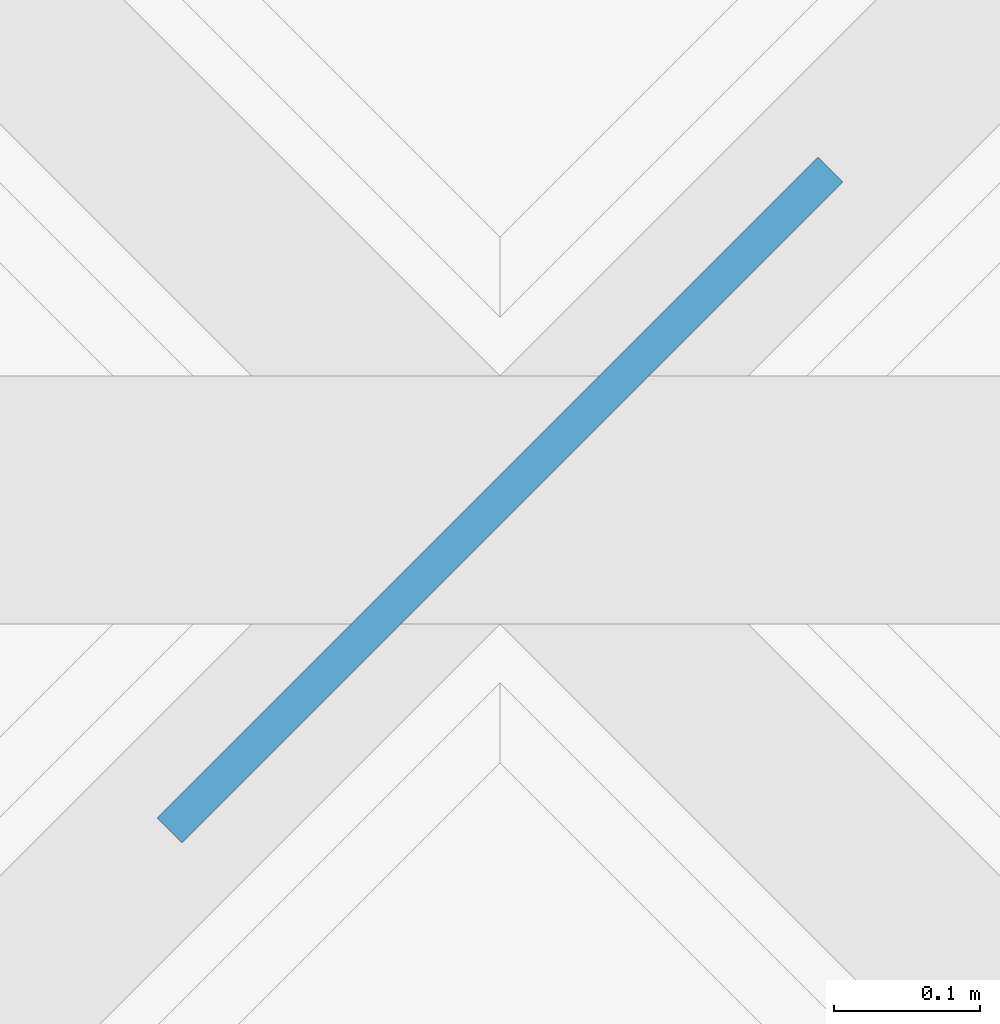
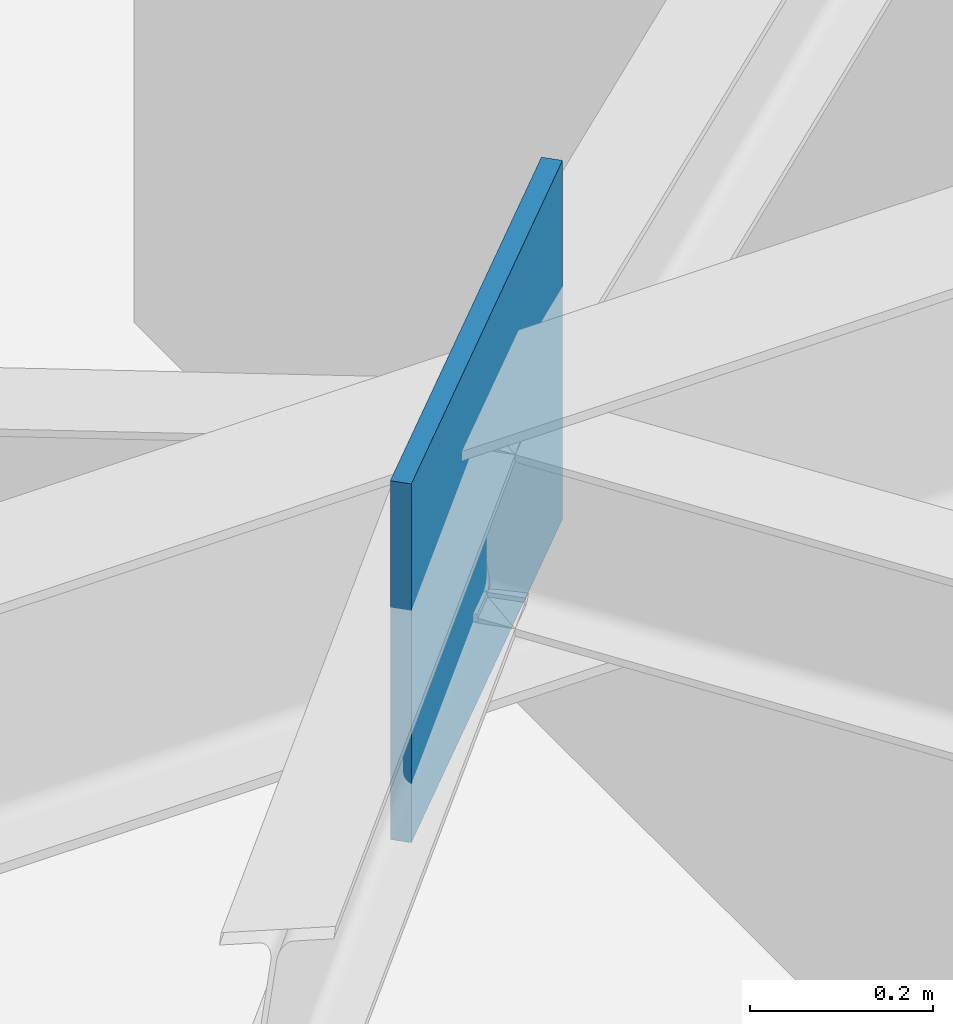
# One storey, part 21 of 33: 1 plate.
"""IFC4 building model written with IfcOpenShell, lengths in metres."""

from ifc_helpers import new_model, si_unit, direction, frame, origin, origin_2d, place, context, subcontext, project, spatial, rectangle, extrude, material, layer, layer_set, type_object, element, save


model = new_model("IFC4")

# Units and contexts
model_context = context("Model", 3, precision=1e-05, world=origin(), true_north=direction((0.0, 1.0)))
body_context = subcontext(model_context, "Body", "Model", "MODEL_VIEW")
ifc_project = project(units=[si_unit("LENGTHUNIT", "METRE"), si_unit("AREAUNIT", "SQUARE_METRE"), si_unit("VOLUMEUNIT", "CUBIC_METRE"), si_unit("PLANEANGLEUNIT", "RADIAN"), si_unit("MASSUNIT", "GRAM", prefix="KILO")], contexts=[model_context])

# Site, building, storey
site_placement = place(None, origin())
site = spatial("IfcSite", under=ifc_project, at=site_placement, CompositionType="ELEMENT")
building_placement = place(site_placement, origin())
building = spatial("IfcBuilding", under=site, at=building_placement, Name="Larkveld Mobility Hub", CompositionType="ELEMENT")
storey_placement = place(building_placement, frame((0.0, 0.0, 15.60009765625)))
storey = spatial("IfcBuildingStorey", under=building, at=storey_placement, Name="L04", CompositionType="ELEMENT", Elevation=15.60009765625)

# Plate
ifc_material = material(Name="Steel S355JR", Category="steel")
ifc_layer = layer(ifc_material, 0.02392578125, Name="Steel S355JR", Category="steel")
ifc_layer_set = layer_set([ifc_layer], Name="Steel S355JR")
plate_type = type_object("IfcPlateType", Name="PT-GS02", PredefinedType="USERDEFINED", material=ifc_layer_set)
plate_placement = place(storey_placement, frame((90.0, 90.0, 2.119873046875), z_axis=(0.0, 0.0, 1.0), x_axis=(0.707106781187, 0.707106781187, 0.0)))
element("IfcPlate", 1, at=plate_placement, inside=storey, type_object=plate_type, Name="Pavilion Hip Apex Gusset Plate", ObjectType="GUSSET PLATE", PredefinedType="USERDEFINED", context=body_context, shape_type="SweptSolid", body=[
    extrude(rectangle(XDim=0.639892578125, YDim=0.02392578125, at=origin_2d()), origin(), (0.0, 0.0, 1.0), 0.47998046875),
])

save(model, "model.ifc")
